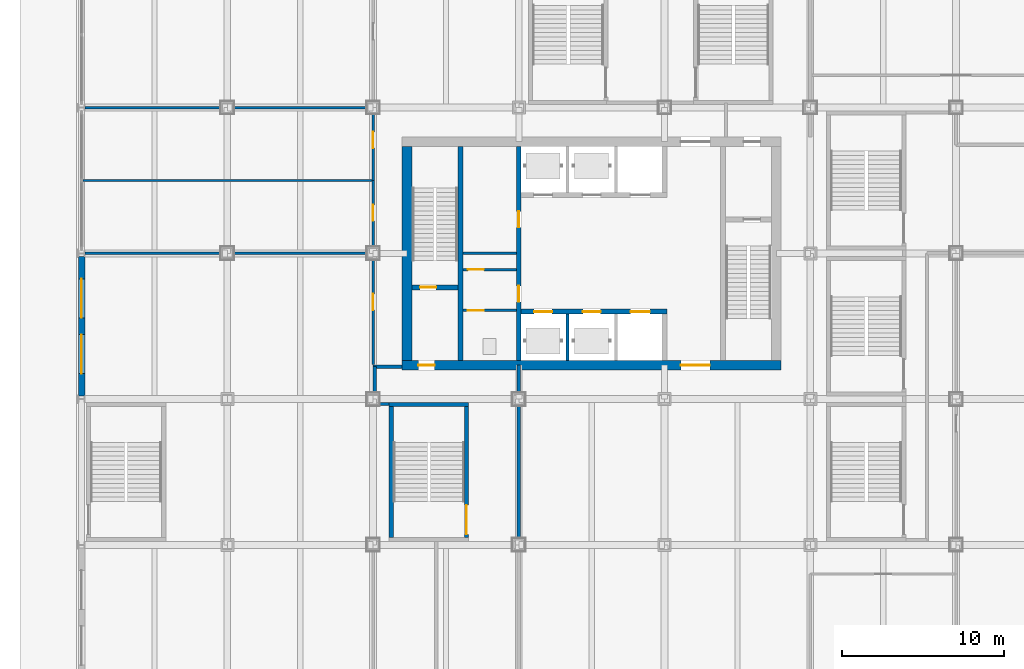
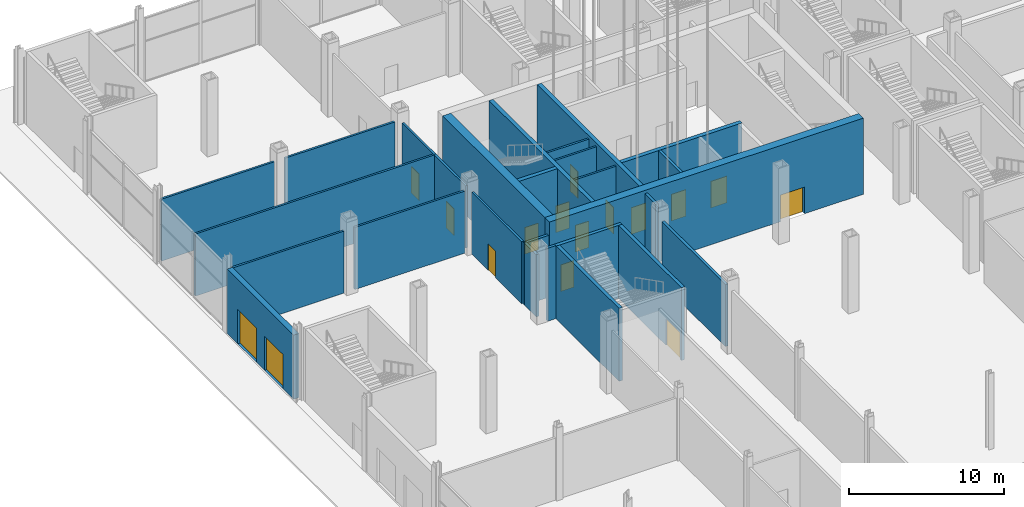
# One storey, part 19 of 34: 27 walls, 16 doors, 16 openings.
"""IFC4 building model written with IfcOpenShell, lengths in metres."""

from ifc_helpers import new_model, si_unit, direction, frame, frame_2d, origin, place, context, subcontext, project, spatial, rectangle, extrude, material, layer, layer_set, type_object, element, fill, save


model = new_model("IFC4")

# Units and contexts
model_context = context("Model", 3, precision=1e-05, world=origin(), true_north=direction((0.0, 1.0)))
body_context = subcontext(model_context, "Body", "Model", "MODEL_VIEW")
ifc_project = project(units=[si_unit("LENGTHUNIT", "METRE"), si_unit("AREAUNIT", "SQUARE_METRE"), si_unit("VOLUMEUNIT", "CUBIC_METRE"), si_unit("PLANEANGLEUNIT", "RADIAN"), si_unit("MASSUNIT", "GRAM", prefix="KILO")], contexts=[model_context])

# Site, building, storey
site_placement = place(None, origin())
site = spatial("IfcSite", under=ifc_project, at=site_placement, CompositionType="ELEMENT")
building_placement = place(site_placement, origin())
building = spatial("IfcBuilding", under=site, at=building_placement, Name="Loomwork Tower", CompositionType="ELEMENT")
storey_placement = place(building_placement, origin())
storey = spatial("IfcBuildingStorey", under=building, at=storey_placement, Name="L00", CompositionType="ELEMENT", Elevation=0.0)

# Wall
ifc_material_1 = material(Name="Concrete 14000 psi (97 MPa)", Category="concrete")
ifc_layer_1 = layer(ifc_material_1, 0.300048828125)
ifc_layer_set_1 = layer_set([ifc_layer_1], Name="Core shear wall 300")
wall_type_1 = type_object("IfcWallType", Name="Core shear wall 300", PredefinedType="SHEAR", material=ifc_layer_set_1)
wall_1_placement = place(storey_placement, frame((14.39990234375, 11.39990234375, 0.0), z_axis=(0.0, 0.0, 1.0), x_axis=(0.0, 1.0, 0.0)))
element("IfcWall", 1, at=wall_1_placement, inside=storey, type_object=wall_type_1, Name="Stair A east wall L00", PredefinedType="SHEAR", context=body_context, shape_type="SweptSolid", body=[
    extrude(rectangle(XDim=13.2001953125, YDim=0.300048828125, at=frame_2d((6.60009765625, 0.0))), origin(), (0.0, 0.0, 1.0), 6.0),
])

# Wall, opening, door
wall_2_placement = place(storey_placement, frame((11.39990234375, 15.89990234375, 0.0), z_axis=(0.0, 0.0, 1.0), x_axis=(1.0, 0.0, 0.0)))
wall_2 = element("IfcWall", 2, at=wall_2_placement, inside=storey, type_object=wall_type_1, Name="Stair A south wall L00", PredefinedType="SHEAR", context=body_context, shape_type="SweptSolid", body=[
    extrude(rectangle(XDim=2.85009765625, YDim=0.300048828125, at=frame_2d((1.425048828125, 0.0))), origin(), (0.0, 0.0, 1.0), 6.0),
])
opening_1_placement = place(wall_2_placement, frame((0.5, 0.0, 0.0)))
opening_1 = element("IfcOpeningElement", 3, at=opening_1_placement, cuts=wall_2, Name="Opening D4", PredefinedType="OPENING", context=body_context, shape_type="SweptSolid", body=[
    extrude(rectangle(XDim=1.0, YDim=2.10009765625, at=frame_2d((0.5, 1.050048828125))), frame((0.0, 0.159912109375, 0.0), z_axis=(0.0, -1.0, 0.0), x_axis=(1.0, 0.0, 0.0)), (0.0, 0.0, 1.0), 0.320068359375),
])
ifc_material_2 = material(Name="Hollow metal door and frame")
door_type_1 = type_object("IfcDoorType", Name="Stair door 1000", OperationType="SINGLE_SWING_RIGHT", PredefinedType="DOOR", material=ifc_material_2)
door_1_placement = place(opening_1_placement, frame((1.0, 0.0, 0.0), z_axis=(0.0, 0.0, 1.0), x_axis=(-1.0, 0.0, 0.0)))
door_1 = element("IfcDoor", 4, at=door_1_placement, inside=storey, type_object=door_type_1, Name="Stair A door", OperationType="SINGLE_SWING_RIGHT", OverallHeight=2.10009765625, OverallWidth=1.0, PredefinedType="DOOR", context=body_context, shape_type="SweptSolid", body=[
    extrude(rectangle(XDim=1.0, YDim=2.10009765625, at=frame_2d((0.5, 1.050048828125))), frame((0.0, 0.02490234375, 0.0), z_axis=(0.0, -1.0, 0.0), x_axis=(1.0, 0.0, 0.0)), (0.0, 0.0, 1.0), 0.050048828125),
])
fill(opening_1, door_1)

# Wall, openings, doors
wall_3_placement = place(storey_placement, frame((18.0, 11.39990234375, 0.0), z_axis=(0.0, 0.0, 1.0), x_axis=(0.0, 1.0, 0.0)))
wall_3 = element("IfcWall", 5, at=wall_3_placement, inside=storey, type_object=wall_type_1, Name="Lobby west wall L00", PredefinedType="SHEAR", context=body_context, shape_type="SweptSolid", body=[
    extrude(rectangle(XDim=13.2001953125, YDim=0.300048828125, at=frame_2d((6.60009765625, 0.0))), origin(), (0.0, 0.0, 1.0), 6.0),
])
opening_2_placement = place(wall_3_placement, frame((3.60009765625, 0.0, 0.0)))
opening_2 = element("IfcOpeningElement", 6, at=opening_2_placement, cuts=wall_3, Name="Opening D5", PredefinedType="OPENING", context=body_context, shape_type="SweptSolid", body=[
    extrude(rectangle(XDim=1.0, YDim=2.10009765625, at=frame_2d((0.5, 1.050048828125))), frame((0.0, 0.159912109375, 0.0), z_axis=(0.0, -1.0, 0.0), x_axis=(1.0, 0.0, 0.0)), (0.0, 0.0, 1.0), 0.320068359375),
])
opening_3_placement = place(wall_3_placement, frame((8.199951171875, 0.0, 0.0)))
opening_3 = element("IfcOpeningElement", 7, at=opening_3_placement, cuts=wall_3, Name="Opening D5", PredefinedType="OPENING", context=body_context, shape_type="SweptSolid", body=[
    extrude(rectangle(XDim=1.0, YDim=2.10009765625, at=frame_2d((0.5, 1.050048828125))), frame((0.0, 0.159912109375, 0.0), z_axis=(0.0, -1.0, 0.0), x_axis=(1.0, 0.0, 0.0)), (0.0, 0.0, 1.0), 0.320068359375),
])
ifc_material_3 = material(Name="Hollow metal door and frame")
door_type_2 = type_object("IfcDoorType", Name="Service door 1000", OperationType="SINGLE_SWING_LEFT", PredefinedType="DOOR", material=ifc_material_3)
door_2_placement = place(opening_2_placement, origin())
door_2 = element("IfcDoor", 8, at=door_2_placement, inside=storey, type_object=door_type_2, Name="Back-of-house door south", OperationType="SINGLE_SWING_LEFT", OverallHeight=2.10009765625, OverallWidth=1.0, PredefinedType="DOOR", context=body_context, shape_type="SweptSolid", body=[
    extrude(rectangle(XDim=1.0, YDim=2.10009765625, at=frame_2d((0.5, 1.050048828125))), frame((0.0, 0.02490234375, 0.0), z_axis=(0.0, -1.0, 0.0), x_axis=(1.0, 0.0, 0.0)), (0.0, 0.0, 1.0), 0.050048828125),
])
fill(opening_2, door_2)
door_3_placement = place(opening_3_placement, origin())
door_3 = element("IfcDoor", 9, at=door_3_placement, inside=storey, type_object=door_type_2, Name="Back-of-house door north", OperationType="SINGLE_SWING_RIGHT", OverallHeight=2.10009765625, OverallWidth=1.0, PredefinedType="DOOR", context=body_context, shape_type="SweptSolid", body=[
    extrude(rectangle(XDim=1.0, YDim=2.10009765625, at=frame_2d((0.5, 1.050048828125))), frame((0.0, 0.02490234375, 0.0), z_axis=(0.0, -1.0, 0.0), x_axis=(1.0, 0.0, 0.0)), (0.0, 0.0, 1.0), 0.050048828125),
])
fill(opening_3, door_3)

wall_4_placement = place(storey_placement, frame((18.14990234375, 14.39990234375, 0.0), z_axis=(0.0, 0.0, 1.0), x_axis=(1.0, 0.0, 0.0)))
wall_4 = element("IfcWall", 10, at=wall_4_placement, inside=storey, type_object=wall_type_1, Name="Lift front wall south L00", PredefinedType="SHEAR", context=body_context, shape_type="SweptSolid", body=[
    extrude(rectangle(XDim=9.0, YDim=0.300048828125, at=frame_2d((4.5, 0.0))), origin(), (0.0, 0.0, 1.0), 6.0),
])
opening_4_placement = place(wall_4_placement, frame((0.800048828125, 0.0, 0.0)))
opening_4 = element("IfcOpeningElement", 11, at=opening_4_placement, cuts=wall_4, Name="Opening LD1", PredefinedType="OPENING", context=body_context, shape_type="SweptSolid", body=[
    extrude(rectangle(XDim=1.10009765625, YDim=2.10009765625, at=frame_2d((0.550048828125, 1.050048828125))), frame((0.0, 0.159912109375, 0.0), z_axis=(0.0, -1.0, 0.0), x_axis=(1.0, 0.0, 0.0)), (0.0, 0.0, 1.0), 0.320068359375),
])
opening_5_placement = place(wall_4_placement, frame((3.800048828125, 0.0, 0.0)))
opening_5 = element("IfcOpeningElement", 12, at=opening_5_placement, cuts=wall_4, Name="Opening LD1", PredefinedType="OPENING", context=body_context, shape_type="SweptSolid", body=[
    extrude(rectangle(XDim=1.10009765625, YDim=2.10009765625, at=frame_2d((0.550048828125, 1.050048828125))), frame((0.0, 0.159912109375, 0.0), z_axis=(0.0, -1.0, 0.0), x_axis=(1.0, 0.0, 0.0)), (0.0, 0.0, 1.0), 0.320068359375),
])
opening_6_placement = place(wall_4_placement, frame((6.75, 0.0, 0.0)))
opening_6 = element("IfcOpeningElement", 13, at=opening_6_placement, cuts=wall_4, Name="Opening LD2", PredefinedType="OPENING", context=body_context, shape_type="SweptSolid", body=[
    extrude(rectangle(XDim=1.199951171875, YDim=2.10009765625, at=frame_2d((0.60009765625, 1.050048828125))), frame((0.0, 0.159912109375, 0.0), z_axis=(0.0, -1.0, 0.0), x_axis=(1.0, 0.0, 0.0)), (0.0, 0.0, 1.0), 0.320068359375),
])
ifc_material_4 = material(Name="Hollow metal door and frame")
door_type_3 = type_object("IfcDoorType", Name="Lift landing door 1100", OperationType="SLIDING_TO_LEFT", PredefinedType="DOOR", material=ifc_material_4)
door_4_placement = place(opening_4_placement, origin())
door_4 = element("IfcDoor", 14, at=door_4_placement, inside=storey, type_object=door_type_3, Name="Lift landing door LA1", OperationType="SLIDING_TO_LEFT", OverallHeight=2.10009765625, OverallWidth=1.10009765625, PredefinedType="DOOR", context=body_context, shape_type="SweptSolid", body=[
    extrude(rectangle(XDim=1.10009765625, YDim=2.10009765625, at=frame_2d((0.550048828125, 1.050048828125))), frame((0.0, 0.02490234375, 0.0), z_axis=(0.0, -1.0, 0.0), x_axis=(1.0, 0.0, 0.0)), (0.0, 0.0, 1.0), 0.050048828125),
])
fill(opening_4, door_4)
door_5_placement = place(opening_5_placement, origin())
door_5 = element("IfcDoor", 15, at=door_5_placement, inside=storey, type_object=door_type_3, Name="Lift landing door LA2", OperationType="SLIDING_TO_LEFT", OverallHeight=2.10009765625, OverallWidth=1.10009765625, PredefinedType="DOOR", context=body_context, shape_type="SweptSolid", body=[
    extrude(rectangle(XDim=1.10009765625, YDim=2.10009765625, at=frame_2d((0.550048828125, 1.050048828125))), frame((0.0, 0.02490234375, 0.0), z_axis=(0.0, -1.0, 0.0), x_axis=(1.0, 0.0, 0.0)), (0.0, 0.0, 1.0), 0.050048828125),
])
fill(opening_5, door_5)
ifc_material_5 = material(Name="Hollow metal door and frame")
door_type_4 = type_object("IfcDoorType", Name="Lift landing door 1200", OperationType="SLIDING_TO_LEFT", PredefinedType="DOOR", material=ifc_material_5)
door_6_placement = place(opening_6_placement, origin())
door_6 = element("IfcDoor", 16, at=door_6_placement, inside=storey, type_object=door_type_4, Name="Lift landing door LF1", OperationType="SLIDING_TO_LEFT", OverallHeight=2.10009765625, OverallWidth=1.199951171875, PredefinedType="DOOR", context=body_context, shape_type="SweptSolid", body=[
    extrude(rectangle(XDim=1.199951171875, YDim=2.10009765625, at=frame_2d((0.60009765625, 1.050048828125))), frame((0.0, 0.02490234375, 0.0), z_axis=(0.0, -1.0, 0.0), x_axis=(1.0, 0.0, 0.0)), (0.0, 0.0, 1.0), 0.050048828125),
])
fill(opening_6, door_6)

ifc_material_6 = material(Name="Concrete 14000 psi (97 MPa)", Category="concrete")
ifc_layer_2 = layer(ifc_material_6, 0.60009765625)
ifc_layer_set_2 = layer_set([ifc_layer_2], Name="Core shear wall 600")
wall_type_2 = type_object("IfcWallType", Name="Core shear wall 600", PredefinedType="SHEAR", material=ifc_layer_set_2)
wall_5_placement = place(storey_placement, frame((10.800048828125, 11.10009765625, 0.0), z_axis=(0.0, 0.0, 1.0), x_axis=(1.0, 0.0, 0.0)))
wall_5 = element("IfcWall", 17, at=wall_5_placement, inside=storey, type_object=wall_type_2, Name="Core wall south L00", PredefinedType="SHEAR", context=body_context, shape_type="SweptSolid", body=[
    extrude(rectangle(XDim=23.39990234375, YDim=0.60009765625, at=frame_2d((11.699951171875, 0.0))), origin(), (0.0, 0.0, 1.0), 6.0),
])
opening_7_placement = place(wall_5_placement, frame((1.0, 0.0, 0.0)))
opening_7 = element("IfcOpeningElement", 18, at=opening_7_placement, cuts=wall_5, Name="Opening D4", PredefinedType="OPENING", context=body_context, shape_type="SweptSolid", body=[
    extrude(rectangle(XDim=1.0, YDim=2.10009765625, at=frame_2d((0.5, 1.050048828125))), frame((0.0, 0.31005859375, 0.0), z_axis=(0.0, -1.0, 0.0), x_axis=(1.0, 0.0, 0.0)), (0.0, 0.0, 1.0), 0.6201171875),
])
opening_8_placement = place(wall_5_placement, frame((17.199951171875, 0.0, 0.0)))
opening_8 = element("IfcOpeningElement", 19, at=opening_8_placement, cuts=wall_5, Name="Opening D6", PredefinedType="OPENING", context=body_context, shape_type="SweptSolid", body=[
    extrude(rectangle(XDim=1.800048828125, YDim=2.10009765625, at=frame_2d((0.89990234375, 1.050048828125))), frame((0.0, 0.31005859375, 0.0), z_axis=(0.0, -1.0, 0.0), x_axis=(1.0, 0.0, 0.0)), (0.0, 0.0, 1.0), 0.6201171875),
])
ifc_material_7 = material(Name="Hollow metal door and frame")
door_type_5 = type_object("IfcDoorType", Name="Lobby passage double door 1800", OperationType="DOUBLE_DOOR_SINGLE_SWING", PredefinedType="DOOR", material=ifc_material_7)
door_7_placement = place(opening_8_placement, origin())
door_7 = element("IfcDoor", 20, at=door_7_placement, inside=storey, type_object=door_type_5, Name="Lobby passage door south", OperationType="DOUBLE_DOOR_SINGLE_SWING", OverallHeight=2.10009765625, OverallWidth=1.800048828125, PredefinedType="DOOR", context=body_context, shape_type="SweptSolid", body=[
    extrude(rectangle(XDim=1.800048828125, YDim=2.10009765625, at=frame_2d((0.89990234375, 1.050048828125))), frame((0.0, 0.02490234375, 0.0), z_axis=(0.0, -1.0, 0.0), x_axis=(1.0, 0.0, 0.0)), (0.0, 0.0, 1.0), 0.050048828125),
])
fill(opening_8, door_7)
door_8_placement = place(opening_7_placement, frame((1.0, 0.0, 0.0), z_axis=(0.0, 0.0, 1.0), x_axis=(-1.0, 0.0, 0.0)))
door_8 = element("IfcDoor", 21, at=door_8_placement, inside=storey, type_object=door_type_1, Name="Stair A vestibule door", OperationType="SINGLE_SWING_RIGHT", OverallHeight=2.10009765625, OverallWidth=1.0, PredefinedType="DOOR", context=body_context, shape_type="SweptSolid", body=[
    extrude(rectangle(XDim=1.0, YDim=2.10009765625, at=frame_2d((0.5, 1.050048828125))), frame((0.0, 0.02490234375, 0.0), z_axis=(0.0, -1.0, 0.0), x_axis=(1.0, 0.0, 0.0)), (0.0, 0.0, 1.0), 0.050048828125),
])
fill(opening_7, door_8)

# Wall
wall_6_placement = place(storey_placement, frame((11.10009765625, 11.39990234375, 0.0), z_axis=(0.0, 0.0, 1.0), x_axis=(0.0, 1.0, 0.0)))
element("IfcWall", 22, at=wall_6_placement, inside=storey, type_object=wall_type_2, Name="Core wall west L00", PredefinedType="SHEAR", context=body_context, shape_type="SweptSolid", body=[
    extrude(rectangle(XDim=13.2001953125, YDim=0.60009765625, at=frame_2d((6.60009765625, 0.0))), origin(), (0.0, 0.0, 1.0), 6.0),
])

# Wall, openings, doors
ifc_material_8 = material(Name="Limestone on concrete masonry", Category="masonry")
ifc_layer_3 = layer(ifc_material_8, 0.39990234375)
ifc_layer_set_3 = layer_set([ifc_layer_3], Name="Entrance portal wall 400")
wall_type_3 = type_object("IfcWallType", Name="Entrance portal wall 400", PredefinedType="SOLIDWALL", material=ifc_layer_set_3)
wall_7_placement = place(storey_placement, frame((-9.0, 17.79931640625, 0.0), z_axis=(0.0, 0.0, 1.0), x_axis=(0.0, -1.0, 0.0)))
wall_7 = element("IfcWall", 23, at=wall_7_placement, inside=storey, type_object=wall_type_3, Name="Shop entrance portal wall W 9", PredefinedType="SOLIDWALL", context=body_context, shape_type="SweptSolid", body=[
    extrude(rectangle(XDim=8.5986328125, YDim=0.39990234375, at=frame_2d((4.29931640625, 0.0))), origin(), (0.0, 0.0, 1.0), 5.053955078125),
])
opening_9_placement = place(wall_7_placement, frame((1.379638671875, 0.0, 0.0)))
opening_9 = element("IfcOpeningElement", 24, at=opening_9_placement, cuts=wall_7, Name="Opening D10", PredefinedType="OPENING", context=body_context, shape_type="SweptSolid", body=[
    extrude(rectangle(XDim=2.39990234375, YDim=2.699951171875, at=frame_2d((1.199951171875, 1.35009765625))), frame((0.0, 0.2099609375, 0.0), z_axis=(0.0, -1.0, 0.0), x_axis=(1.0, 0.0, 0.0)), (0.0, 0.0, 1.0), 0.419921875),
])
opening_10_placement = place(wall_7_placement, frame((4.819091796875, 0.0, 0.0)))
opening_10 = element("IfcOpeningElement", 25, at=opening_10_placement, cuts=wall_7, Name="Opening D10", PredefinedType="OPENING", context=body_context, shape_type="SweptSolid", body=[
    extrude(rectangle(XDim=2.39990234375, YDim=2.699951171875, at=frame_2d((1.199951171875, 1.35009765625))), frame((0.0, 0.2099609375, 0.0), z_axis=(0.0, -1.0, 0.0), x_axis=(1.0, 0.0, 0.0)), (0.0, 0.0, 1.0), 0.419921875),
])
ifc_material_9 = material(Name="Hollow metal door and frame")
door_type_6 = type_object("IfcDoorType", Name="Entrance door 2400", OperationType="DOUBLE_DOOR_SINGLE_SWING", PredefinedType="DOOR", material=ifc_material_9)
door_9_placement = place(opening_9_placement, frame((2.39990234375, 0.0, 0.0), z_axis=(0.0, 0.0, 1.0), x_axis=(-1.0, 0.0, 0.0)))
door_9 = element("IfcDoor", 26, at=door_9_placement, inside=storey, type_object=door_type_6, Name="Shop entrance door W 9 1", OperationType="DOUBLE_DOOR_SINGLE_SWING", OverallHeight=2.699951171875, OverallWidth=2.39990234375, PredefinedType="DOOR", context=body_context, shape_type="SweptSolid", body=[
    extrude(rectangle(XDim=2.39990234375, YDim=2.699951171875, at=frame_2d((1.199951171875, 1.35009765625))), frame((0.0, 0.02490234375, 0.0), z_axis=(0.0, -1.0, 0.0), x_axis=(1.0, 0.0, 0.0)), (0.0, 0.0, 1.0), 0.050048828125),
])
fill(opening_9, door_9)
door_10_placement = place(opening_10_placement, frame((2.39990234375, 0.0, 0.0), z_axis=(0.0, 0.0, 1.0), x_axis=(-1.0, 0.0, 0.0)))
door_10 = element("IfcDoor", 27, at=door_10_placement, inside=storey, type_object=door_type_6, Name="Shop entrance door W 9 2", OperationType="DOUBLE_DOOR_SINGLE_SWING", OverallHeight=2.699951171875, OverallWidth=2.39990234375, PredefinedType="DOOR", context=body_context, shape_type="SweptSolid", body=[
    extrude(rectangle(XDim=2.39990234375, YDim=2.699951171875, at=frame_2d((1.199951171875, 1.35009765625))), frame((0.0, 0.02490234375, 0.0), z_axis=(0.0, -1.0, 0.0), x_axis=(1.0, 0.0, 0.0)), (0.0, 0.0, 1.0), 0.050048828125),
])
fill(opening_10, door_10)

# Walls
ifc_material_10 = material(Name="Concrete 14000 psi (97 MPa)", Category="concrete")
ifc_layer_4 = layer(ifc_material_10, 0.199951171875)
ifc_layer_set_4 = layer_set([ifc_layer_4], Name="Lift shaft wall 200")
wall_type_4 = type_object("IfcWallType", Name="Lift shaft wall 200", PredefinedType="SHEAR", material=ifc_layer_set_4)
wall_8_placement = place(storey_placement, frame((21.0, 11.39990234375, 0.0), z_axis=(0.0, 0.0, 1.0), x_axis=(0.0, 1.0, 0.0)))
element("IfcWall", 28, at=wall_8_placement, inside=storey, type_object=wall_type_4, Name="Lift shaft separation wall south 1 L00", PredefinedType="SHEAR", context=body_context, shape_type="SweptSolid", body=[
    extrude(rectangle(XDim=2.85009765625, YDim=0.199951171875, at=frame_2d((1.425048828125, 0.0))), origin(), (0.0, 0.0, 1.0), 6.0),
])
ifc_material_11 = material(Name="Gypsum board on steel studs, one-hour", Category="steel")
ifc_layer_5 = layer(ifc_material_11, 0.14990234375)
ifc_layer_set_5 = layer_set([ifc_layer_5], Name="Partition 150")
wall_type_5 = type_object("IfcWallType", Name="Partition 150", PredefinedType="PARTITIONING", material=ifc_layer_set_5)
wall_9_placement = place(storey_placement, frame((-8.800537109375, 18.0, 0.0), z_axis=(0.0, 0.0, 1.0), x_axis=(1.0, 0.0, 0.0)))
element("IfcWall", 29, at=wall_9_placement, inside=storey, type_object=wall_type_5, Name="Partition L00 2.1", PredefinedType="PARTITIONING", context=body_context, shape_type="SweptSolid", body=[
    extrude(rectangle(XDim=8.400634765625, YDim=0.14990234375, at=frame_2d((4.2001953125, 0.0))), origin(), (0.0, 0.0, 1.0), 4.8916015625),
])
wall_10_placement = place(storey_placement, frame((0.39990234375, 18.0, 0.0), z_axis=(0.0, 0.0, 1.0), x_axis=(1.0, 0.0, 0.0)))
element("IfcWall", 30, at=wall_10_placement, inside=storey, type_object=wall_type_5, Name="Partition L00 2.2", PredefinedType="PARTITIONING", context=body_context, shape_type="SweptSolid", body=[
    extrude(rectangle(XDim=8.2001953125, YDim=0.14990234375, at=frame_2d((4.10009765625, 0.0))), origin(), (0.0, 0.0, 1.0), 4.8916015625),
])
wall_11_placement = place(storey_placement, frame((-8.89990234375, 22.5, 0.0), z_axis=(0.0, 0.0, 1.0), x_axis=(1.0, 0.0, 0.0)))
element("IfcWall", 31, at=wall_11_placement, inside=storey, type_object=wall_type_5, Name="Partition L00 3.1", PredefinedType="PARTITIONING", context=body_context, shape_type="SweptSolid", body=[
    extrude(rectangle(XDim=17.89990234375, YDim=0.14990234375, at=frame_2d((8.949951171875, 0.0))), origin(), (0.0, 0.0, 1.0), 4.89111328125),
])
wall_12_placement = place(storey_placement, frame((-8.800537109375, 27.0, 0.0), z_axis=(0.0, 0.0, 1.0), x_axis=(1.0, 0.0, 0.0)))
element("IfcWall", 32, at=wall_12_placement, inside=storey, type_object=wall_type_5, Name="Partition L00 4.1", PredefinedType="PARTITIONING", context=body_context, shape_type="SweptSolid", body=[
    extrude(rectangle(XDim=8.400634765625, YDim=0.14990234375, at=frame_2d((4.2001953125, 0.0))), origin(), (0.0, 0.0, 1.0), 4.8916015625),
])
wall_13_placement = place(storey_placement, frame((0.39990234375, 27.0, 0.0), z_axis=(0.0, 0.0, 1.0), x_axis=(1.0, 0.0, 0.0)))
element("IfcWall", 33, at=wall_13_placement, inside=storey, type_object=wall_type_5, Name="Partition L00 4.2", PredefinedType="PARTITIONING", context=body_context, shape_type="SweptSolid", body=[
    extrude(rectangle(XDim=8.2001953125, YDim=0.14990234375, at=frame_2d((4.10009765625, 0.0))), origin(), (0.0, 0.0, 1.0), 4.8916015625),
])

# Wall, opening, door
wall_14_placement = place(storey_placement, frame((9.0, 17.60009765625, 0.0), z_axis=(0.0, 0.0, 1.0), x_axis=(0.0, -1.0, 0.0)))
wall_14 = element("IfcWall", 34, at=wall_14_placement, inside=storey, type_object=wall_type_5, Name="Partition L00 9.1", PredefinedType="PARTITIONING", context=body_context, shape_type="SweptSolid", body=[
    extrude(rectangle(XDim=6.4501953125, YDim=0.14990234375, at=frame_2d((3.22509765625, 0.0))), origin(), (0.0, 0.0, 1.0), 4.8916015625),
])
opening_11_placement = place(wall_14_placement, frame((2.10009765625, 0.0, 0.0)))
opening_11 = element("IfcOpeningElement", 35, at=opening_11_placement, cuts=wall_14, Name="Opening D7", PredefinedType="OPENING", context=body_context, shape_type="SweptSolid", body=[
    extrude(rectangle(XDim=1.0, YDim=2.10009765625, at=frame_2d((0.5, 1.050048828125))), frame((0.0, 0.0849609375, 0.0), z_axis=(0.0, -1.0, 0.0), x_axis=(1.0, 0.0, 0.0)), (0.0, 0.0, 1.0), 0.169921875),
])
ifc_material_12 = material(Name="Hollow metal door and frame")
door_type_7 = type_object("IfcDoorType", Name="Room door 1000", OperationType="SINGLE_SWING_LEFT", PredefinedType="DOOR", material=ifc_material_12)
door_11_placement = place(opening_11_placement, origin())
door_11 = element("IfcDoor", 36, at=door_11_placement, inside=storey, type_object=door_type_7, Name="Retail unit L00-03 door", OperationType="SINGLE_SWING_LEFT", OverallHeight=2.10009765625, OverallWidth=1.0, PredefinedType="DOOR", context=body_context, shape_type="SweptSolid", body=[
    extrude(rectangle(XDim=1.0, YDim=2.10009765625, at=frame_2d((0.5, 1.050048828125))), frame((0.0, 0.02490234375, 0.0), z_axis=(0.0, -1.0, 0.0), x_axis=(1.0, 0.0, 0.0)), (0.0, 0.0, 1.0), 0.050048828125),
])
fill(opening_11, door_11)

wall_15_placement = place(storey_placement, frame((9.0, 22.5, 0.0), z_axis=(0.0, 0.0, 1.0), x_axis=(0.0, -1.0, 0.0)))
wall_15 = element("IfcWall", 37, at=wall_15_placement, inside=storey, type_object=wall_type_5, Name="Partition L00 10.1", PredefinedType="PARTITIONING", context=body_context, shape_type="SweptSolid", body=[
    extrude(rectangle(XDim=4.10009765625, YDim=0.14990234375, at=frame_2d((2.050048828125, 0.0))), origin(), (0.0, 0.0, 1.0), 4.8916015625),
])
opening_12_placement = place(wall_15_placement, frame((1.5, 0.0, 0.0)))
opening_12 = element("IfcOpeningElement", 38, at=opening_12_placement, cuts=wall_15, Name="Opening D8", PredefinedType="OPENING", context=body_context, shape_type="SweptSolid", body=[
    extrude(rectangle(XDim=1.0, YDim=2.10009765625, at=frame_2d((0.5, 1.050048828125))), frame((0.0, 0.0849609375, 0.0), z_axis=(0.0, -1.0, 0.0), x_axis=(1.0, 0.0, 0.0)), (0.0, 0.0, 1.0), 0.169921875),
])
ifc_material_13 = material(Name="Hollow metal door and frame")
door_type_8 = type_object("IfcDoorType", Name="WC door 1000", OperationType="SINGLE_SWING_LEFT", PredefinedType="DOOR", material=ifc_material_13)
door_12_placement = place(opening_12_placement, frame((1.0, 0.0, 0.0), z_axis=(0.0, 0.0, 1.0), x_axis=(-1.0, 0.0, 0.0)))
door_12 = element("IfcDoor", 39, at=door_12_placement, inside=storey, type_object=door_type_8, Name="Public WC men door", OperationType="SINGLE_SWING_RIGHT", OverallHeight=2.10009765625, OverallWidth=1.0, PredefinedType="DOOR", context=body_context, shape_type="SweptSolid", body=[
    extrude(rectangle(XDim=1.0, YDim=2.10009765625, at=frame_2d((0.5, 1.050048828125))), frame((0.0, 0.02490234375, 0.0), z_axis=(0.0, -1.0, 0.0), x_axis=(1.0, 0.0, 0.0)), (0.0, 0.0, 1.0), 0.050048828125),
])
fill(opening_12, door_12)

wall_16_placement = place(storey_placement, frame((9.0, 26.60009765625, 0.0), z_axis=(0.0, 0.0, 1.0), x_axis=(0.0, -1.0, 0.0)))
wall_16 = element("IfcWall", 40, at=wall_16_placement, inside=storey, type_object=wall_type_5, Name="Partition L00 11.1", PredefinedType="PARTITIONING", context=body_context, shape_type="SweptSolid", body=[
    extrude(rectangle(XDim=4.10009765625, YDim=0.14990234375, at=frame_2d((2.050048828125, 0.0))), origin(), (0.0, 0.0, 1.0), 4.8916015625),
])
opening_13_placement = place(wall_16_placement, frame((1.10009765625, 0.0, 0.0)))
opening_13 = element("IfcOpeningElement", 41, at=opening_13_placement, cuts=wall_16, Name="Opening D8", PredefinedType="OPENING", context=body_context, shape_type="SweptSolid", body=[
    extrude(rectangle(XDim=1.0, YDim=2.10009765625, at=frame_2d((0.5, 1.050048828125))), frame((0.0, 0.0849609375, 0.0), z_axis=(0.0, -1.0, 0.0), x_axis=(1.0, 0.0, 0.0)), (0.0, 0.0, 1.0), 0.169921875),
])
door_13_placement = place(opening_13_placement, frame((1.0, 0.0, 0.0), z_axis=(0.0, 0.0, 1.0), x_axis=(-1.0, 0.0, 0.0)))
door_13 = element("IfcDoor", 42, at=door_13_placement, inside=storey, type_object=door_type_8, Name="Public WC women door", OperationType="SINGLE_SWING_RIGHT", OverallHeight=2.10009765625, OverallWidth=1.0, PredefinedType="DOOR", context=body_context, shape_type="SweptSolid", body=[
    extrude(rectangle(XDim=1.0, YDim=2.10009765625, at=frame_2d((0.5, 1.050048828125))), frame((0.0, 0.02490234375, 0.0), z_axis=(0.0, -1.0, 0.0), x_axis=(1.0, 0.0, 0.0)), (0.0, 0.0, 1.0), 0.050048828125),
])
fill(opening_13, door_13)

# Walls
ifc_material_14 = material(Name="Gypsum board on steel studs", Category="steel")
ifc_layer_6 = layer(ifc_material_14, 0.14990234375)
ifc_layer_set_6 = layer_set([ifc_layer_6], Name="Partition 150 two-hour")
wall_type_6 = type_object("IfcWallType", Name="Partition 150 two-hour", PredefinedType="PARTITIONING", material=ifc_layer_set_6)
wall_17_placement = place(storey_placement, frame((14.550048828125, 18.0, 0.0), z_axis=(0.0, 0.0, 1.0), x_axis=(1.0, 0.0, 0.0)))
element("IfcWall", 43, at=wall_17_placement, inside=storey, type_object=wall_type_6, Name="Back-of-house dividing wall L00", PredefinedType="PARTITIONING", context=body_context, shape_type="SweptSolid", body=[
    extrude(rectangle(XDim=3.300048828125, YDim=0.14990234375, at=frame_2d((1.64990234375, 0.0))), origin(), (0.0, 0.0, 1.0), 5.75),
])
ifc_material_15 = material(Name="Gypsum board on steel studs, two-hour", Category="steel")
ifc_layer_7 = layer(ifc_material_15, 0.199951171875)
ifc_layer_set_7 = layer_set([ifc_layer_7], Name="Refuge enclosure wall 200")
wall_type_7 = type_object("IfcWallType", Name="Refuge enclosure wall 200", PredefinedType="PARTITIONING", material=ifc_layer_set_7)
wall_18_placement = place(storey_placement, frame((9.0, 11.0, 0.0), z_axis=(0.0, 0.0, 1.0), x_axis=(1.0, 0.0, 0.0)))
element("IfcWall", 44, at=wall_18_placement, inside=storey, type_object=wall_type_7, Name="Exit passageway wall ep-sw-n0 1", PredefinedType="PARTITIONING", context=body_context, shape_type="SweptSolid", body=[
    extrude(rectangle(XDim=1.800048828125, YDim=0.199951171875, at=frame_2d((0.89990234375, 0.0))), origin(), (0.0, 0.0, 1.0), 4.89111328125),
])
wall_19_placement = place(storey_placement, frame((9.10009765625, 9.39990234375, 0.0), z_axis=(0.0, 0.0, 1.0), x_axis=(0.0, 1.0, 0.0)))
element("IfcWall", 45, at=wall_19_placement, inside=storey, type_object=wall_type_7, Name="Exit passageway wall ep-sw-w0 1", PredefinedType="PARTITIONING", context=body_context, shape_type="SweptSolid", body=[
    extrude(rectangle(XDim=1.60009765625, YDim=0.199951171875, at=frame_2d((0.800048828125, 0.0))), origin(), (0.0, 0.0, 1.0), 4.8916015625),
])
wall_20_placement = place(storey_placement, frame((9.39990234375, 8.699951171875, 0.0), z_axis=(0.0, 0.0, 1.0), x_axis=(1.0, 0.0, 0.0)))
element("IfcWall", 46, at=wall_20_placement, inside=storey, type_object=wall_type_7, Name="Exit passageway wall ep-sw-s0 1", PredefinedType="PARTITIONING", context=body_context, shape_type="SweptSolid", body=[
    extrude(rectangle(XDim=0.60009765625, YDim=0.199951171875, at=frame_2d((0.300048828125, 0.0))), origin(), (0.0, 0.0, 1.0), 5.75),
])
wall_21_placement = place(storey_placement, frame((18.0, 0.39990234375, 0.0), z_axis=(0.0, 0.0, 1.0), x_axis=(0.0, 1.0, 0.0)))
element("IfcWall", 47, at=wall_21_placement, inside=storey, type_object=wall_type_7, Name="Exit passageway wall ep-sw-e0 4", PredefinedType="PARTITIONING", context=body_context, shape_type="SweptSolid", body=[
    extrude(rectangle(XDim=8.2001953125, YDim=0.199951171875, at=frame_2d((4.10009765625, 0.0))), origin(), (0.0, 0.0, 1.0), 4.8916015625),
])
wall_22_placement = place(storey_placement, frame((18.0, 9.39990234375, 0.0), z_axis=(0.0, 0.0, 1.0), x_axis=(0.0, 1.0, 0.0)))
element("IfcWall", 48, at=wall_22_placement, inside=storey, type_object=wall_type_7, Name="Exit passageway wall ep-sw-e0 5", PredefinedType="PARTITIONING", context=body_context, shape_type="SweptSolid", body=[
    extrude(rectangle(XDim=1.7001953125, YDim=0.199951171875, at=frame_2d((0.85009765625, 0.0))), origin(), (0.0, 0.0, 1.0), 5.75),
])

# Wall, opening, door
ifc_material_16 = material(Name="Gypsum board on steel studs, one-hour", Category="steel")
ifc_layer_8 = layer(ifc_material_16, 0.14990234375)
ifc_layer_set_8 = layer_set([ifc_layer_8], Name="Service partition 150")
wall_type_8 = type_object("IfcWallType", Name="Service partition 150", PredefinedType="PARTITIONING", material=ifc_layer_set_8)
wall_23_placement = place(storey_placement, frame((14.550048828125, 17.0, 0.0), z_axis=(0.0, 0.0, 1.0), x_axis=(1.0, 0.0, 0.0)))
wall_23 = element("IfcWall", 49, at=wall_23_placement, inside=storey, type_object=wall_type_8, Name="Riser enclosure L00", PredefinedType="PARTITIONING", context=body_context, shape_type="SweptSolid", body=[
    extrude(rectangle(XDim=3.300048828125, YDim=0.14990234375, at=frame_2d((1.64990234375, 0.0))), origin(), (0.0, 0.0, 1.0), 5.75),
])
opening_14_placement = place(wall_23_placement, frame((0.300048828125, 0.0, 0.0)))
opening_14 = element("IfcOpeningElement", 50, at=opening_14_placement, cuts=wall_23, Name="Opening D18", PredefinedType="OPENING", context=body_context, shape_type="SweptSolid", body=[
    extrude(rectangle(XDim=1.0, YDim=2.10009765625, at=frame_2d((0.5, 1.050048828125))), frame((0.0, 0.0849609375, 0.0), z_axis=(0.0, -1.0, 0.0), x_axis=(1.0, 0.0, 0.0)), (0.0, 0.0, 1.0), 0.169921875),
])
ifc_material_17 = material(Name="Hollow metal door and frame")
door_type_9 = type_object("IfcDoorType", Name="Ninety-minute service door 1000", OperationType="SINGLE_SWING_LEFT", PredefinedType="DOOR", material=ifc_material_17)
door_14_placement = place(opening_14_placement, frame((1.0, 0.0, 0.0), z_axis=(0.0, 0.0, 1.0), x_axis=(-1.0, 0.0, 0.0)))
door_14 = element("IfcDoor", 51, at=door_14_placement, inside=storey, type_object=door_type_9, Name="Riser access door", OperationType="SINGLE_SWING_RIGHT", OverallHeight=2.10009765625, OverallWidth=1.0, PredefinedType="DOOR", context=body_context, shape_type="SweptSolid", body=[
    extrude(rectangle(XDim=1.0, YDim=2.10009765625, at=frame_2d((0.5, 1.050048828125))), frame((0.0, 0.02490234375, 0.0), z_axis=(0.0, -1.0, 0.0), x_axis=(1.0, 0.0, 0.0)), (0.0, 0.0, 1.0), 0.050048828125),
])
fill(opening_14, door_14)

wall_24_placement = place(storey_placement, frame((14.550048828125, 14.47509765625, 0.0), z_axis=(0.0, 0.0, 1.0), x_axis=(1.0, 0.0, 0.0)))
wall_24 = element("IfcWall", 52, at=wall_24_placement, inside=storey, type_object=wall_type_8, Name="Back-of-house partition L00", PredefinedType="PARTITIONING", context=body_context, shape_type="SweptSolid", body=[
    extrude(rectangle(XDim=3.300048828125, YDim=0.14990234375, at=frame_2d((1.64990234375, 0.0))), origin(), (0.0, 0.0, 1.0), 5.75),
])
opening_15_placement = place(wall_24_placement, frame((0.300048828125, 0.0, 0.0)))
opening_15 = element("IfcOpeningElement", 53, at=opening_15_placement, cuts=wall_24, Name="Opening D5", PredefinedType="OPENING", context=body_context, shape_type="SweptSolid", body=[
    extrude(rectangle(XDim=1.0, YDim=2.10009765625, at=frame_2d((0.5, 1.050048828125))), frame((0.0, 0.0849609375, 0.0), z_axis=(0.0, -1.0, 0.0), x_axis=(1.0, 0.0, 0.0)), (0.0, 0.0, 1.0), 0.169921875),
])
door_15_placement = place(opening_15_placement, origin())
door_15 = element("IfcDoor", 54, at=door_15_placement, inside=storey, type_object=door_type_2, Name="Back-of-house room door", OperationType="SINGLE_SWING_LEFT", OverallHeight=2.10009765625, OverallWidth=1.0, PredefinedType="DOOR", context=body_context, shape_type="SweptSolid", body=[
    extrude(rectangle(XDim=1.0, YDim=2.10009765625, at=frame_2d((0.5, 1.050048828125))), frame((0.0, 0.02490234375, 0.0), z_axis=(0.0, -1.0, 0.0), x_axis=(1.0, 0.0, 0.0)), (0.0, 0.0, 1.0), 0.050048828125),
])
fill(opening_15, door_15)

# Walls
ifc_material_18 = material(Name="Concrete masonry, two-hour", Category="masonry")
ifc_layer_9 = layer(ifc_material_18, 0.25)
ifc_layer_set_9 = layer_set([ifc_layer_9], Name="Stair enclosure wall 250")
wall_type_9 = type_object("IfcWallType", Name="Stair enclosure wall 250", PredefinedType="SOLIDWALL", material=ifc_layer_set_9)
wall_25_placement = place(storey_placement, frame((10.0, 8.675048828125, 0.0), z_axis=(0.0, 0.0, 1.0), x_axis=(1.0, 0.0, 0.0)))
element("IfcWall", 55, at=wall_25_placement, inside=storey, type_object=wall_type_9, Name="Stair PS12 enclosure wall N L00", PredefinedType="SOLIDWALL", context=body_context, shape_type="SweptSolid", body=[
    extrude(rectangle(XDim=4.89990234375, YDim=0.25, at=frame_2d((2.449951171875, 0.0))), origin(), (0.0, 0.0, 1.0), 5.75),
])
wall_26_placement = place(storey_placement, frame((10.125, 0.449951171875, 0.0), z_axis=(0.0, 0.0, 1.0), x_axis=(0.0, 1.0, 0.0)))
element("IfcWall", 56, at=wall_26_placement, inside=storey, type_object=wall_type_9, Name="Stair PS12 enclosure wall W L00", PredefinedType="SOLIDWALL", context=body_context, shape_type="SweptSolid", body=[
    extrude(rectangle(XDim=8.10009765625, YDim=0.25, at=frame_2d((4.050048828125, 0.0))), origin(), (0.0, 0.0, 1.0), 5.75),
])

# Wall, opening, door
wall_27_placement = place(storey_placement, frame((14.77490234375, 0.449951171875, 0.0), z_axis=(0.0, 0.0, 1.0), x_axis=(0.0, 1.0, 0.0)))
wall_27 = element("IfcWall", 57, at=wall_27_placement, inside=storey, type_object=wall_type_9, Name="Stair PS12 enclosure wall E L00", PredefinedType="SOLIDWALL", context=body_context, shape_type="SweptSolid", body=[
    extrude(rectangle(XDim=8.10009765625, YDim=0.25, at=frame_2d((4.050048828125, 0.0))), origin(), (0.0, 0.0, 1.0), 5.75),
])
opening_16_placement = place(wall_27_placement, frame((0.199951171875, 0.0, 0.0)))
opening_16 = element("IfcOpeningElement", 58, at=opening_16_placement, cuts=wall_27, Name="Opening D14", PredefinedType="OPENING", context=body_context, shape_type="SweptSolid", body=[
    extrude(rectangle(XDim=1.800048828125, YDim=2.10009765625, at=frame_2d((0.89990234375, 1.050048828125))), frame((0.0, 0.135009765625, 0.0), z_axis=(0.0, -1.0, 0.0), x_axis=(1.0, 0.0, 0.0)), (0.0, 0.0, 1.0), 0.27001953125),
])
ifc_material_19 = material(Name="Hollow metal door and frame")
door_type_10 = type_object("IfcDoorType", Name="Stair double door 1800", OperationType="DOUBLE_DOOR_SINGLE_SWING", PredefinedType="DOOR", material=ifc_material_19)
door_16_placement = place(opening_16_placement, frame((1.800048828125, 0.0, 0.0), z_axis=(0.0, 0.0, 1.0), x_axis=(-1.0, 0.0, 0.0)))
door_16 = element("IfcDoor", 59, at=door_16_placement, inside=storey, type_object=door_type_10, Name="Stair PS12 door L00", OperationType="DOUBLE_DOOR_SINGLE_SWING", OverallHeight=2.10009765625, OverallWidth=1.800048828125, PredefinedType="DOOR", context=body_context, shape_type="SweptSolid", body=[
    extrude(rectangle(XDim=1.800048828125, YDim=2.10009765625, at=frame_2d((0.89990234375, 1.050048828125))), frame((0.0, 0.02490234375, 0.0), z_axis=(0.0, -1.0, 0.0), x_axis=(1.0, 0.0, 0.0)), (0.0, 0.0, 1.0), 0.050048828125),
])
fill(opening_16, door_16)

save(model, "model.ifc")
